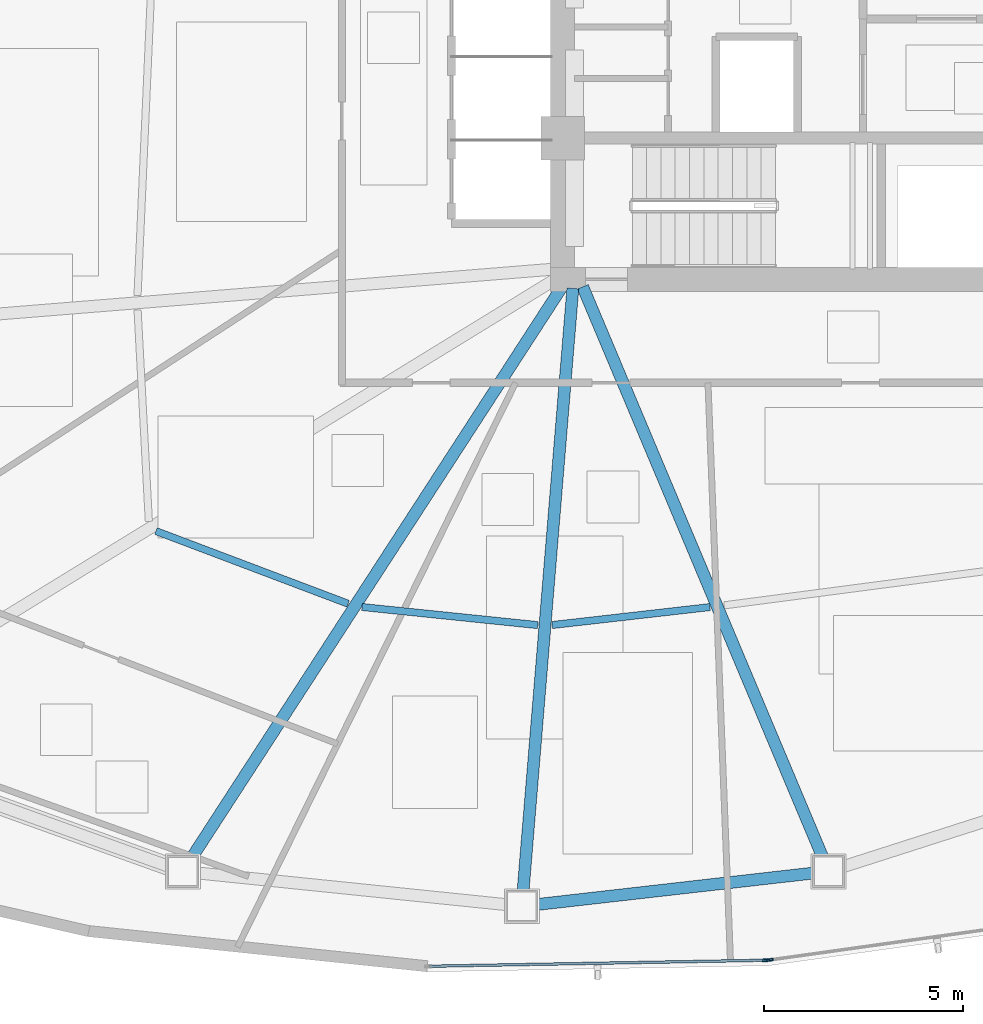
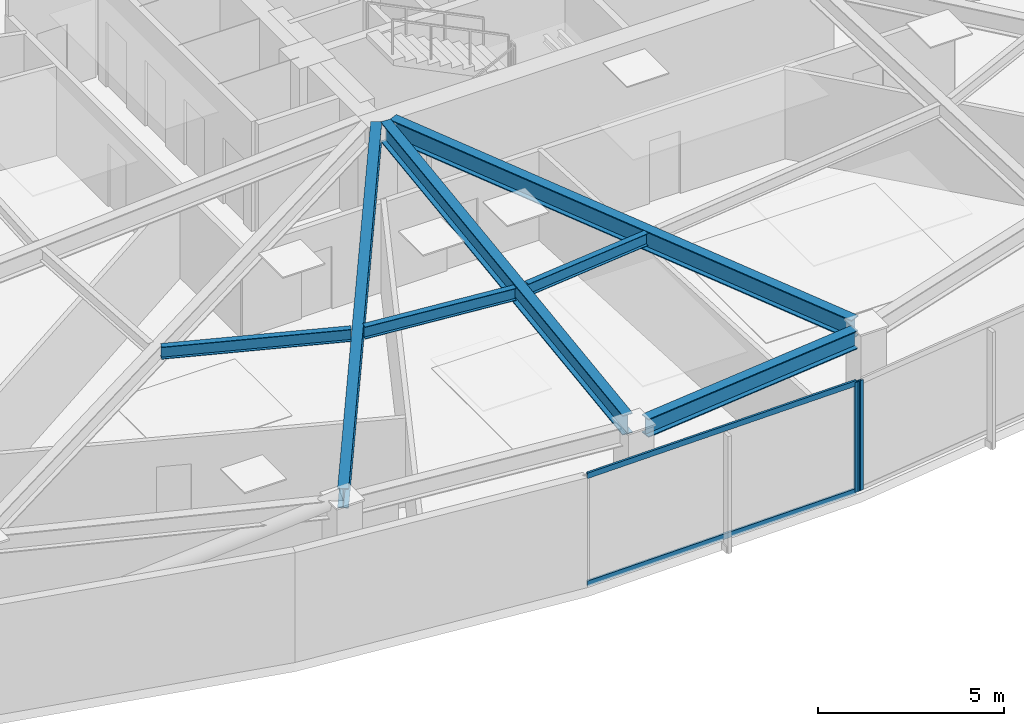
# One storey, part 3 of 17: 7 beams, 4 members, 2 elements without a shape of their own.
"""IFC4 building model written with IfcOpenShell, lengths in metres."""

from ifc_helpers import new_model, si_unit, direction, frame, origin, origin_2d, place, context, subcontext, project, spatial, hollow_rectangle, i_section, extrude, source, transform, mapped, material, layer, layer_set, material_profile, profile_set, type_object, type_shapes, element, aggregate, save


model = new_model("IFC4")

# Units and contexts
model_context = context("Model", 3, precision=1e-05, world=origin(), true_north=direction((0.0, 1.0)))
body_context = subcontext(model_context, "Body", "Model", "MODEL_VIEW")
ifc_project = project(units=[si_unit("LENGTHUNIT", "METRE"), si_unit("AREAUNIT", "SQUARE_METRE"), si_unit("VOLUMEUNIT", "CUBIC_METRE"), si_unit("PLANEANGLEUNIT", "RADIAN"), si_unit("MASSUNIT", "GRAM", prefix="KILO")], contexts=[model_context])

# Site, building, storey
site_placement = place(None, origin())
site = spatial("IfcSite", under=ifc_project, at=site_placement, CompositionType="ELEMENT")
building_placement = place(site_placement, origin())
building = spatial("IfcBuilding", under=site, at=building_placement, Name="Tavelor Broadcast Tower", CompositionType="ELEMENT")
storey_placement = place(building_placement, frame((0.0, 0.0, 43.199951171875)))
storey = spatial("IfcBuildingStorey", under=building, at=storey_placement, Name="L09", CompositionType="ELEMENT", Elevation=43.199951171875)

# Beams
ifc_material_1 = material(Name="Steel S355", Category="steel")
ifc_material_profile_1 = material_profile(ifc_material_1, i_section(OverallWidth=0.179931640625, OverallDepth=0.39990234375, WebThickness=0.008544921875, FlangeThickness=0.013427734375, at=origin_2d()), Name="IPE 400")
ifc_profile_set_1 = profile_set([ifc_material_profile_1], Name="Steel S355")
beam_type_1 = type_object("IfcBeamType", Name="Composite Floor Joist T1 IPE 400", PredefinedType="JOIST", material=ifc_profile_set_1)
beam_1_placement = place(storey_placement, frame((32.875732421875, 32.172119140625, 3.400146484375), z_axis=(0.935393222228, -0.353609275629, 0.0), x_axis=(0.353609275629, 0.935393222228, 0.0)))
element("IfcBeam", 1, at=beam_1_placement, inside=storey, type_object=beam_type_1, Name="L09 Secondary Composite Floor Joist 07", PredefinedType="JOIST", context=body_context, shape_type="SweptSolid", body=[
    extrude(i_section(OverallWidth=0.179931640625, OverallDepth=0.39990234375, WebThickness=0.008544921875, FlangeThickness=0.013427734375, at=origin_2d()), origin(), (0.0, 0.0, 1.0), 5.16357421875),
])
beam_2_placement = place(storey_placement, frame((38.05517578125, 30.263671875, 3.400146484375), z_axis=(0.994731276638, -0.102516765835, 0.0), x_axis=(0.102516765835, 0.994731276638, 0.0)))
element("IfcBeam", 2, at=beam_2_placement, inside=storey, type_object=beam_type_1, Name="L09 Secondary Composite Floor Joist 08", PredefinedType="JOIST", context=body_context, shape_type="SweptSolid", body=[
    extrude(i_section(OverallWidth=0.179931640625, OverallDepth=0.39990234375, WebThickness=0.008544921875, FlangeThickness=0.013427734375, at=origin_2d()), origin(), (0.0, 0.0, 1.0), 4.44384765625),
])
beam_3_placement = place(storey_placement, frame((42.83544921875, 29.81005859375, 3.400146484375), z_axis=(0.993584195036, 0.113094860076, 0.0), x_axis=(-0.113094860076, 0.993584195036, 0.0)))
element("IfcBeam", 3, at=beam_3_placement, inside=storey, type_object=beam_type_1, Name="L09 Secondary Composite Floor Joist 09", PredefinedType="JOIST", context=body_context, shape_type="SweptSolid", body=[
    extrude(i_section(OverallWidth=0.179931640625, OverallDepth=0.39990234375, WebThickness=0.008544921875, FlangeThickness=0.013427734375, at=origin_2d()), origin(), (0.0, 0.0, 1.0), 3.99365234375),
])
ifc_material_profile_2 = material_profile(ifc_material_1, i_section(OverallWidth=0.300048828125, OverallDepth=0.60009765625, WebThickness=0.015380859375, FlangeThickness=0.030029296875, at=origin_2d()), Name="HEB 600")
ifc_profile_set_2 = profile_set([ifc_material_profile_2], Name="Steel S355")
beam_type_2 = type_object("IfcBeamType", Name="Perimeter Spandrel Beam T1 HEB 600", PredefinedType="SPANDREL", material=ifc_profile_set_2)
beam_4_placement = place(storey_placement, frame((42.45458984375, 22.783935546875, 3.300048828125), z_axis=(0.993590028959, 0.113043594921, 0.0), x_axis=(-0.113043594921, 0.993590028959, 0.0)))
element("IfcBeam", 4, at=beam_4_placement, inside=storey, type_object=beam_type_2, Name="L09 Framed-Tube Ring Spandrel 09", PredefinedType="SPANDREL", context=body_context, shape_type="SweptSolid", body=[
    extrude(i_section(OverallWidth=0.300048828125, OverallDepth=0.60009765625, WebThickness=0.015380859375, FlangeThickness=0.030029296875, at=origin_2d()), origin(), (0.0, 0.0, 1.0), 6.995361328125),
])
ifc_material_profile_3 = material_profile(ifc_material_1, i_section(OverallWidth=0.300048828125, OverallDepth=0.64990234375, WebThickness=0.01611328125, FlangeThickness=0.031005859375, at=origin_2d()), Name="HEB 650")
ifc_profile_set_3 = profile_set([ifc_material_profile_3], Name="Steel S355")
beam_type_3 = type_object("IfcBeamType", Name="Radial Floor Girder T1 HEB 650", PredefinedType="BEAM", material=ifc_profile_set_3)
beam_5_placement = place(storey_placement, frame((43.11279296875, 38.35693359375, 3.275146484375), z_axis=(-0.544182728087, -0.838966720706, 0.0), x_axis=(0.838966720706, -0.544182728087, 0.0)))
element("IfcBeam", 5, at=beam_5_placement, inside=storey, type_object=beam_type_3, Name="L09 Radial Primary Floor Girder 08", PredefinedType="BEAM", context=body_context, shape_type="SweptSolid", body=[
    extrude(i_section(OverallWidth=0.300048828125, OverallDepth=0.64990234375, WebThickness=0.01611328125, FlangeThickness=0.031005859375, at=origin_2d()), origin(), (0.0, 0.0, 1.0), 17.186767578125),
])
beam_6_placement = place(storey_placement, frame((43.3564453125, 38.273681640625, 3.275146484375), z_axis=(-0.082338386508, -0.996604430106, 0.0), x_axis=(0.996604430106, -0.082338386508, 0.0)))
element("IfcBeam", 6, at=beam_6_placement, inside=storey, type_object=beam_type_3, Name="L09 Radial Primary Floor Girder 09", PredefinedType="BEAM", context=body_context, shape_type="SweptSolid", body=[
    extrude(i_section(OverallWidth=0.300048828125, OverallDepth=0.64990234375, WebThickness=0.01611328125, FlangeThickness=0.031005859375, at=origin_2d()), origin(), (0.0, 0.0, 1.0), 15.201904296875),
])
beam_7_placement = place(storey_placement, frame((43.604736328125, 38.313232421875, 3.275146484375), z_axis=(0.387757434366, -0.921761450753, 0.0), x_axis=(0.921761450753, 0.387757434366, 0.0)))
element("IfcBeam", 7, at=beam_7_placement, inside=storey, type_object=beam_type_3, Name="L09 Radial Primary Floor Girder 10", PredefinedType="BEAM", context=body_context, shape_type="SweptSolid", body=[
    extrude(i_section(OverallWidth=0.300048828125, OverallDepth=0.64990234375, WebThickness=0.01611328125, FlangeThickness=0.031005859375, at=origin_2d()), origin(), (0.0, 0.0, 1.0), 15.55859375),
])

# Curtain wall, member
ifc_material_2 = material(Name="Architectural Anodized Aluminium", Category="aluminium")
ifc_layer = layer(ifc_material_2, 0.179931640625)
ifc_layer_set = layer_set([ifc_layer], Name="Architectural Anodized Aluminium")
curtain_wall_type = type_object("IfcCurtainWallType", Name="Tower Low-Zone Unitised Curtain Wall CW02", PredefinedType="NOTDEFINED", material=ifc_layer_set)
curtain_wall_1_placement = place(storey_placement, origin())
curtain_wall_1 = element("IfcCurtainWall", 8, at=curtain_wall_1_placement, inside=storey, type_object=curtain_wall_type, Name="L09 Curtain Wall CW02 Run 65", PredefinedType="NOTDEFINED")
ifc_material_profile_4 = material_profile(ifc_material_2, hollow_rectangle(XDim=0.06494140625, YDim=0.179931640625, WallThickness=0.02197265625, at=origin_2d()), Name="RHS 65x180x22")
ifc_profile_set_4 = profile_set([ifc_material_profile_4], Name="Architectural Anodized Aluminium")
member_type_1 = type_object("IfcMemberType", Name="CW02 Extruded Aluminium Mullion 65x180", PredefinedType="MULLION", material=ifc_profile_set_4)
shared_shape_1 = source(origin(), body_context, "Body", "SweptSolid", [
    extrude(hollow_rectangle(XDim=0.06494140625, YDim=0.179931640625, WallThickness=0.02197265625, at=origin_2d()), origin(), (0.0, 0.0, 1.0), 3.60009765625),
])
type_shapes(member_type_1, [shared_shape_1])
member_1_placement = place(storey_placement, frame((48.211181640625, 21.383056640625, 0.0), z_axis=(0.0, 0.0, 1.0), x_axis=(-0.017889989842, 0.999839961326, 0.0)))
member_1 = element("IfcMember", 9, at=member_1_placement, type_object=member_type_1, Name="CW02 mullion 2", PredefinedType="MULLION", context=body_context, shape_type="MappedRepresentation", body=[
    mapped(shared_shape_1, transform((0.0, 0.0, 0.0), scale=1.0)),
])

curtain_wall_2_placement = place(storey_placement, origin())
curtain_wall_2 = element("IfcCurtainWall", 10, at=curtain_wall_2_placement, inside=storey, type_object=curtain_wall_type, Name="L09 Curtain Wall CW02 Run 66", PredefinedType="NOTDEFINED")
member_2_placement = place(storey_placement, frame((48.3056640625, 21.390625, 0.0), z_axis=(0.0, 0.0, 1.0), x_axis=(-0.138744574318, 0.990328199688, 0.0)))
member_2 = element("IfcMember", 11, at=member_2_placement, type_object=member_type_1, Name="CW02 mullion 1", PredefinedType="MULLION", context=body_context, shape_type="MappedRepresentation", body=[
    mapped(shared_shape_1, transform((0.0, 0.0, 0.0), scale=1.0)),
])
aggregate(curtain_wall_2, [member_2])

# Member
ifc_material_profile_5 = material_profile(ifc_material_2, hollow_rectangle(XDim=0.06494140625, YDim=0.179931640625, WallThickness=0.02197265625, at=origin_2d()), Name="RHS 65x180x22")
ifc_profile_set_5 = profile_set([ifc_material_profile_5], Name="Architectural Anodized Aluminium")
member_type_2 = type_object("IfcMemberType", Name="CW02 Extruded Aluminium Transom 65x180", PredefinedType="USERDEFINED", material=ifc_profile_set_5)
shared_shape_2 = source(origin(), body_context, "Body", "SweptSolid", [
    extrude(hollow_rectangle(XDim=0.06494140625, YDim=0.179931640625, WallThickness=0.02197265625, at=origin_2d()), origin(), (0.0, 0.0, 1.0), 8.422607421875),
])
type_shapes(member_type_2, [shared_shape_2])
member_3_placement = place(storey_placement, frame((39.757568359375, 21.23193359375, 0.032470703125), z_axis=(0.999840053703, 0.017884826287, 0.0), x_axis=(-0.017884826287, 0.999840053703, 0.0)))
member_3 = element("IfcMember", 12, at=member_3_placement, type_object=member_type_2, Name="CW02 transom 1.1", ObjectType="TRANSOM", PredefinedType="USERDEFINED", context=body_context, shape_type="MappedRepresentation", body=[
    mapped(shared_shape_2, transform((0.0, 0.0, 0.0), scale=1.0)),
])

member_4_placement = place(storey_placement, frame((39.757568359375, 21.23193359375, 3.567626953125), z_axis=(0.999840053703, 0.017884826287, 0.0), x_axis=(-0.017884826287, 0.999840053703, 0.0)))
member_4 = element("IfcMember", 13, at=member_4_placement, type_object=member_type_2, Name="CW02 transom 1.2", ObjectType="TRANSOM", PredefinedType="USERDEFINED", context=body_context, shape_type="MappedRepresentation", body=[
    mapped(shared_shape_2, transform((0.0, 0.0, 0.0), scale=1.0)),
])

aggregate(curtain_wall_1, [member_1, member_3, member_4])

save(model, "model.ifc")
